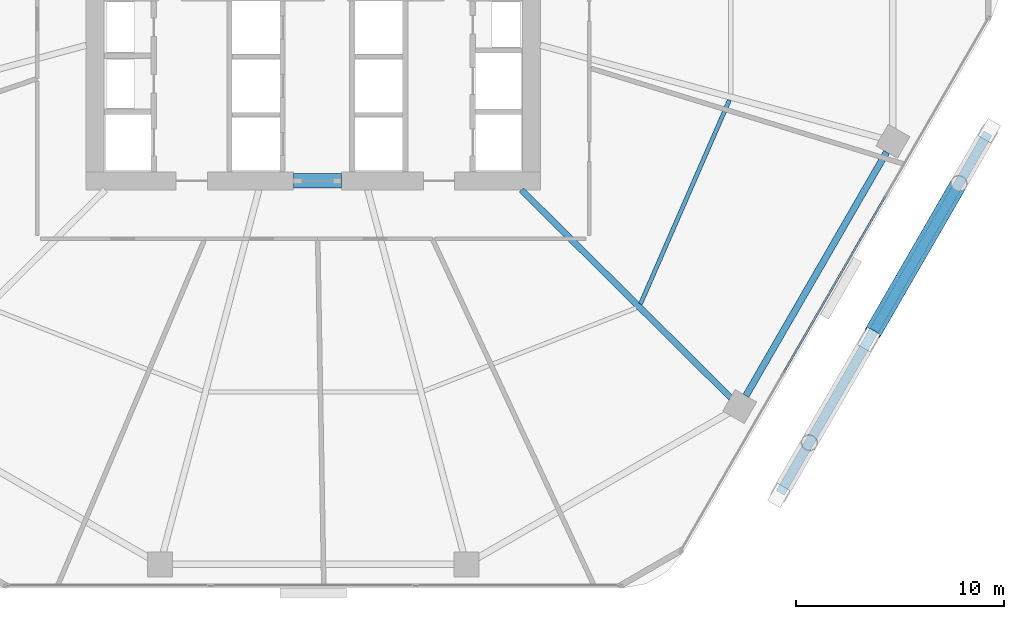
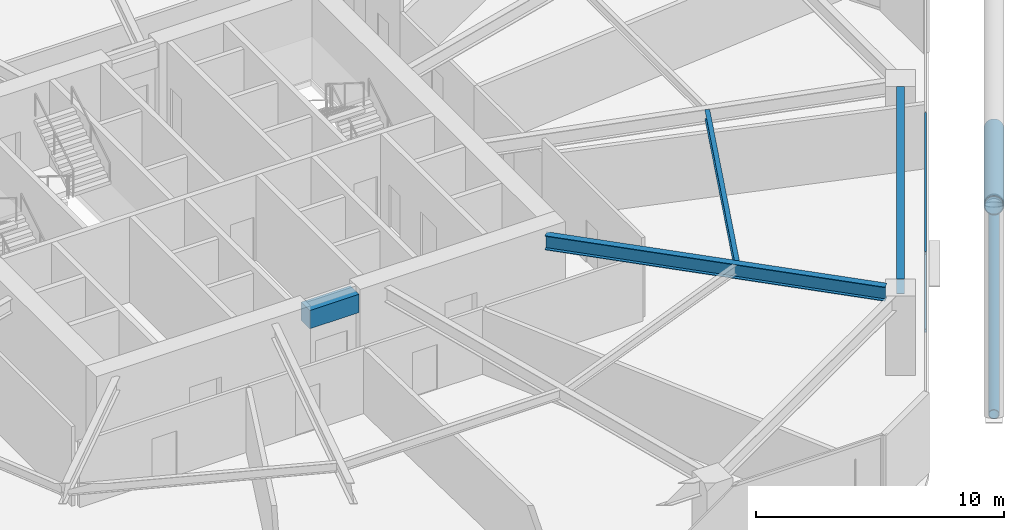
# One storey, part 10 of 30: 4 beams, 4 members, 1 element without a shape of its own.
"""IFC4 building model written with IfcOpenShell, lengths in metres."""

from ifc_helpers import new_model, si_unit, direction, frame, origin, origin_2d, place, context, subcontext, project, spatial, rectangle, hollow_rectangle, hollow_circle, i_section, extrude, material, material_profile, profile_set, type_object, element, aggregate, save


model = new_model("IFC4")

# Units and contexts
model_context = context("Model", 3, precision=1e-05, world=origin(), true_north=direction((0.0, 1.0)))
body_context = subcontext(model_context, "Body", "Model", "MODEL_VIEW")
ifc_project = project(units=[si_unit("LENGTHUNIT", "METRE"), si_unit("AREAUNIT", "SQUARE_METRE"), si_unit("VOLUMEUNIT", "CUBIC_METRE"), si_unit("PLANEANGLEUNIT", "RADIAN"), si_unit("MASSUNIT", "GRAM", prefix="KILO")], contexts=[model_context])

# Site, building, storey
site_placement = place(None, origin())
site = spatial("IfcSite", under=ifc_project, at=site_placement, CompositionType="ELEMENT")
building_placement = place(site_placement, origin())
building = spatial("IfcBuilding", under=site, at=building_placement, Name="Zuhravey Tower", CompositionType="ELEMENT")
storey_placement = place(building_placement, frame((0.0, 0.0, 58.199951171875)))
storey = spatial("IfcBuildingStorey", under=building, at=storey_placement, Name="L14", CompositionType="ELEMENT", Elevation=58.199951171875)

# Beam
ifc_material_1 = material(Name="Concrete C60/75", Category="concrete")
ifc_material_profile_1 = material_profile(ifc_material_1, rectangle(XDim=0.699951171875, YDim=0.89990234375, at=origin_2d()), Name="RC-700x900")
ifc_profile_set_1 = profile_set([ifc_material_profile_1], Name="Concrete C60/75")
beam_type_1 = type_object("IfcBeamType", Name="Core Coupling Beam RC700x900", PredefinedType="LINTEL", material=ifc_profile_set_1)
beam_1_placement = place(storey_placement, frame((35.052001953125, 22.5, 3.469970703125), z_axis=(1.0, 0.0, 0.0), x_axis=(0.0, 1.0, 0.0)))
element("IfcBeam", 1, at=beam_1_placement, inside=storey, type_object=beam_type_1, Name="L14 CB1 BM-L14-CB-S", PredefinedType="LINTEL", context=body_context, shape_type="SweptSolid", body=[
    extrude(rectangle(XDim=0.699951171875, YDim=0.89990234375, at=origin_2d()), origin(), (0.0, 0.0, 1.0), 2.2958984375),
])

# Curtain wall, members
ifc_material_2 = material(Name="Thermally broken anodised aluminium", Category="aluminium")
curtain_wall_type = type_object("IfcCurtainWallType", Name="School Low-E Unitised Curtain Wall CW1", PredefinedType="NOTDEFINED", material=ifc_material_2)
curtain_wall_placement = place(storey_placement, origin())
curtain_wall = element("IfcCurtainWall", 2, at=curtain_wall_placement, inside=storey, type_object=curtain_wall_type, Name="L14 CW1 CW-L14-F6-1", PredefinedType="NOTDEFINED")
ifc_material_3 = material(Name="Anodised aluminium", Category="aluminium")
ifc_material_profile_2 = material_profile(ifc_material_3, hollow_rectangle(XDim=0.090087890625, YDim=0.14990234375, WallThickness=0.0048828125, at=origin_2d()), Name="ALU-RHS-90x150x5")
ifc_profile_set_2 = profile_set([ifc_material_profile_2], Name="Anodised aluminium")
member_type_1 = type_object("IfcMemberType", Name="Curtain-Wall Transom 90x150", PredefinedType="USERDEFINED", material=ifc_profile_set_2)
member_1_placement = place(storey_placement, frame((63.52294921875, 21.754150390625, 0.045166015625), z_axis=(-0.499990498062, -0.866030889661, 0.0), x_axis=(0.866030889661, -0.499990498062, 0.0)))
member_1 = element("IfcMember", 3, at=member_1_placement, type_object=member_type_1, Name="CW1 transom 2.1", ObjectType="TRANSOM", PredefinedType="USERDEFINED", context=body_context, shape_type="SweptSolid", body=[
    extrude(hollow_rectangle(XDim=0.090087890625, YDim=0.14990234375, WallThickness=0.0048828125, at=origin_2d()), origin(), (0.0, 0.0, 1.0), 9.776611328125),
])
member_2_placement = place(storey_placement, frame((63.52294921875, 21.754150390625, 3.875), z_axis=(-0.499990498062, -0.866030889661, 0.0), x_axis=(0.866030889661, -0.499990498062, 0.0)))
member_2 = element("IfcMember", 4, at=member_2_placement, type_object=member_type_1, Name="CW1 transom 2.2", ObjectType="TRANSOM", PredefinedType="USERDEFINED", context=body_context, shape_type="SweptSolid", body=[
    extrude(hollow_rectangle(XDim=0.090087890625, YDim=0.14990234375, WallThickness=0.0048828125, at=origin_2d()), origin(), (0.0, 0.0, 1.0), 9.776611328125),
])
aggregate(curtain_wall, [member_1, member_2])

# Members
ifc_material_4 = material(Name="Steel SM355", Category="steel")
ifc_material_profile_3 = material_profile(ifc_material_4, hollow_circle(Radius=0.228515625, WallThickness=0.02197265625, at=origin_2d()), Name="CHS-457.2x22")
ifc_profile_set_3 = profile_set([ifc_material_profile_3], Name="Steel SM355")
member_type_2 = type_object("IfcMemberType", Name="Exoskeleton Ring Tie CHS457x22", PredefinedType="CHORD", material=ifc_profile_set_3)
member_3_placement = place(storey_placement, frame((58.470703125, 7.483154296875, -0.493896484375), z_axis=(0.499987058157, 0.866032875632, 0.0), x_axis=(-0.866032875632, 0.499987058157, 0.0)))
element("IfcMember", 5, at=member_3_placement, inside=storey, type_object=member_type_2, Name="L14 Exoskeleton Face 6 Tie EXR1", PredefinedType="CHORD", context=body_context, shape_type="SweptSolid", body=[
    extrude(hollow_circle(Radius=0.228515625, WallThickness=0.02197265625, at=origin_2d()), origin(), (0.0, 0.0, 1.0), 19.99365234375),
])
ifc_material_5 = material(Name="Steel SM460", Category="steel")
ifc_material_profile_4 = material_profile(ifc_material_5, hollow_circle(Radius=0.406494140625, WallThickness=0.035888671875, at=origin_2d()), Name="CHS-812.8x36")
ifc_profile_set_4 = profile_set([ifc_material_profile_4], Name="Steel SM460")
member_type_3 = type_object("IfcMemberType", Name="Exoskeleton Zone 1 Diagrid CHS813x36", PredefinedType="BRACE", material=ifc_profile_set_4)
member_4_placement = place(storey_placement, frame((68.513671875, 24.87841796875, -0.476806640625), z_axis=(-0.470168805096, -0.814366925669, 0.340217290992), x_axis=(0.866028239721, -0.499995087982, 0.0)))
element("IfcMember", 6, at=member_4_placement, inside=storey, type_object=member_type_3, Name="L14 Face 6 Split Diagrid Brace 3A", PredefinedType="BRACE", context=body_context, shape_type="SweptSolid", body=[
    extrude(hollow_circle(Radius=0.406494140625, WallThickness=0.035888671875, at=origin_2d()), origin(), (0.0, 0.0, 1.0), 11.89794921875),
])

# Beams
ifc_material_profile_5 = material_profile(ifc_material_4, i_section(OverallWidth=0.320068359375, OverallDepth=0.75, WebThickness=0.013916015625, FlangeThickness=0.02490234375, at=origin_2d()), Name="H-750x320x14x25")
ifc_profile_set_5 = profile_set([ifc_material_profile_5], Name="Steel SM355")
beam_type_2 = type_object("IfcBeamType", Name="Perimeter Ring Beam H750x320", PredefinedType="BEAM", material=ifc_profile_set_5)
beam_2_placement = place(storey_placement, frame((56.820556640625, 12.165283203125, 3.545166015625), z_axis=(0.499999877243, 0.866025474658, 0.0), x_axis=(-0.866025474658, 0.499999877243, 0.0)))
element("IfcBeam", 7, at=beam_2_placement, inside=storey, type_object=beam_type_2, Name="L14 PB1 BM-L14-PB-11", PredefinedType="BEAM", context=body_context, shape_type="SweptSolid", body=[
    extrude(i_section(OverallWidth=0.320068359375, OverallDepth=0.75, WebThickness=0.013916015625, FlangeThickness=0.02490234375, at=origin_2d()), origin(), (0.0, 0.0, 1.0), 13.5341796875),
])
ifc_material_profile_6 = material_profile(ifc_material_4, i_section(OverallWidth=0.300048828125, OverallDepth=0.699951171875, WebThickness=0.012939453125, FlangeThickness=0.02392578125, at=origin_2d()), Name="H-700x300x13x24")
ifc_profile_set_6 = profile_set([ifc_material_profile_6], Name="Steel SM355")
beam_type_3 = type_object("IfcBeamType", Name="Radial Primary Girder H700x300", PredefinedType="BEAM", material=ifc_profile_set_6)
beam_3_placement = place(storey_placement, frame((46.007080078125, 22.072021484375, 3.570068359375), z_axis=(0.709902823282, -0.704299639, 0.0), x_axis=(0.704299639, 0.709902823282, 0.0)))
element("IfcBeam", 8, at=beam_3_placement, inside=storey, type_object=beam_type_3, Name="L14 RG1 BM-L14-RAD-11", PredefinedType="BEAM", context=body_context, shape_type="SweptSolid", body=[
    extrude(i_section(OverallWidth=0.300048828125, OverallDepth=0.699951171875, WebThickness=0.012939453125, FlangeThickness=0.02392578125, at=origin_2d()), origin(), (0.0, 0.0, 1.0), 14.204345703125),
])
ifc_material_profile_7 = material_profile(ifc_material_4, i_section(OverallWidth=0.199951171875, OverallDepth=0.449951171875, WebThickness=0.009033203125, FlangeThickness=0.013916015625, at=origin_2d()), Name="H-450x200x9x14")
ifc_profile_set_7 = profile_set([ifc_material_profile_7], Name="Steel SM355")
beam_type_4 = type_object("IfcBeamType", Name="Secondary Floor Joist H450x200", PredefinedType="JOIST", material=ifc_profile_set_7)
beam_4_placement = place(storey_placement, frame((51.7451171875, 16.58154296875, 3.695068359375), z_axis=(0.399923551578, 0.916548500022, 0.0), x_axis=(-0.916548500022, 0.399923551578, 0.0)))
element("IfcBeam", 9, at=beam_4_placement, inside=storey, type_object=beam_type_4, Name="L14 SJ1 BM-L14-SJ-11-1", PredefinedType="JOIST", context=body_context, shape_type="SweptSolid", body=[
    extrude(i_section(OverallWidth=0.199951171875, OverallDepth=0.449951171875, WebThickness=0.009033203125, FlangeThickness=0.013916015625, at=origin_2d()), origin(), (0.0, 0.0, 1.0), 10.70263671875),
])

save(model, "model.ifc")
